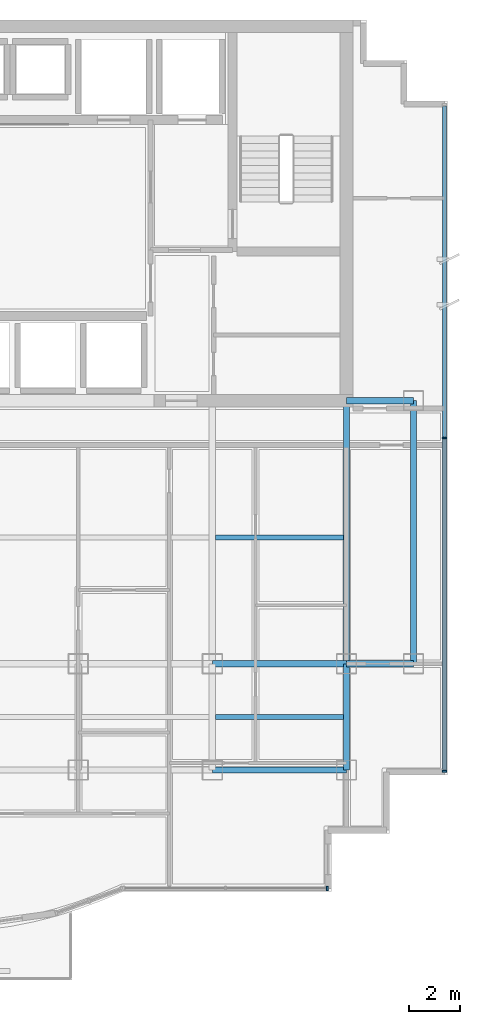
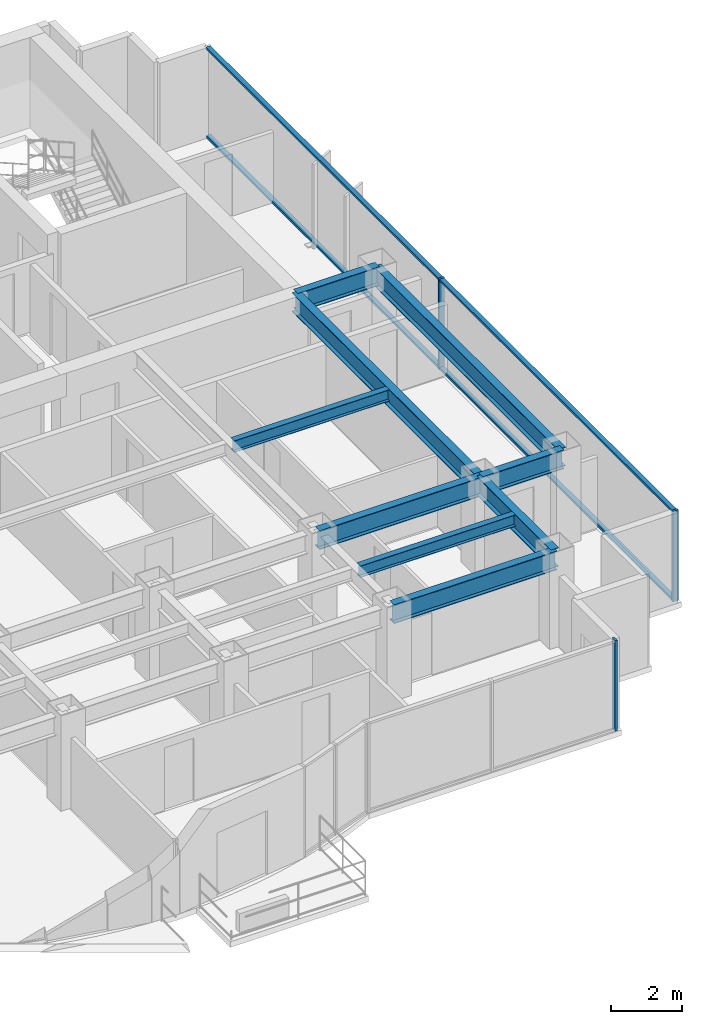
# One storey, part 4 of 12: 9 beams, 7 members, 2 elements without a shape of their own.
"""IFC4 building model written with IfcOpenShell, lengths in metres."""

from ifc_helpers import new_model, si_unit, direction, frame, origin, origin_2d, place, context, subcontext, project, spatial, rectangle, i_section, extrude, source, transform, mapped, material, layer, layer_set, material_profile, profile_set, type_object, element, aggregate, save


model = new_model("IFC4")

# Units and contexts
model_context = context("Model", 3, precision=1e-05, world=origin(), true_north=direction((0.0, 1.0)))
body_context = subcontext(model_context, "Body", "Model", "MODEL_VIEW")
ifc_project = project(units=[si_unit("LENGTHUNIT", "METRE"), si_unit("AREAUNIT", "SQUARE_METRE"), si_unit("VOLUMEUNIT", "CUBIC_METRE"), si_unit("PLANEANGLEUNIT", "RADIAN"), si_unit("MASSUNIT", "GRAM", prefix="KILO")], contexts=[model_context])

# Site, building, storey
site_placement = place(None, origin())
site = spatial("IfcSite", under=ifc_project, at=site_placement, CompositionType="ELEMENT")
building_placement = place(site_placement, origin())
building = spatial("IfcBuilding", under=site, at=building_placement, Name="Qianlan Lanfeng Residences", CompositionType="ELEMENT")
storey_placement = place(building_placement, frame((0.0, 0.0, 196.699951171875)))
storey = spatial("IfcBuildingStorey", under=building, at=storey_placement, Name="L53", CompositionType="ELEMENT", Elevation=196.699951171875)

# Beams
ifc_material_1 = material(Name="Steel SN490B", Category="steel")
ifc_material_profile_1 = material_profile(ifc_material_1, i_section(OverallWidth=0.25, OverallDepth=0.64990234375, WebThickness=0.012939453125, FlangeThickness=0.02197265625, at=origin_2d()), Name="H 650x250x13x22")
ifc_profile_set_1 = profile_set([ifc_material_profile_1], Name="Steel SN490B")
beam_type_1 = type_object("IfcBeamType", Name="G-650", PredefinedType="BEAM", material=ifc_profile_set_1)
for number, where, z_axis, x_axis, name in (
    (1, (37.10009765625, 10.60009765625, 2.78515625), (1.0, 0.0, 0.0), (0.0, 1.0, 0.0), "Structural beam G-650"),
    (2, (37.10009765625, 14.800048828125, 2.78515625), (1.0, 0.0, 0.0), (0.0, 1.0, 0.0), "Structural beam G-650"),
):
    element("IfcBeam", number, at=place(storey_placement, frame(where, z_axis=z_axis, x_axis=x_axis)), inside=storey, type_object=beam_type_1, Name=name, PredefinedType="BEAM", context=body_context, shape_type="SweptSolid", body=[
        extrude(i_section(OverallWidth=0.25, OverallDepth=0.64990234375, WebThickness=0.012939453125, FlangeThickness=0.02197265625, at=origin_2d()), origin(), (0.0, 0.0, 1.0), 5.2998046875),
    ])
for number, where, z_axis, x_axis, name in (
    (3, (42.39990234375, 14.800048828125, 2.78515625), (1.0, 0.0, 0.0), (0.0, 1.0, 0.0), "Structural beam G-650"),
    (4, (42.39990234375, 25.199951171875, 2.78515625), (1.0, 0.0, 0.0), (0.0, 1.0, 0.0), "Structural beam G-650"),
):
    element("IfcBeam", number, at=place(storey_placement, frame(where, z_axis=z_axis, x_axis=x_axis)), inside=storey, type_object=beam_type_1, Name=name, PredefinedType="BEAM", context=body_context, shape_type="SweptSolid", body=[
        extrude(i_section(OverallWidth=0.25, OverallDepth=0.64990234375, WebThickness=0.012939453125, FlangeThickness=0.02197265625, at=origin_2d()), origin(), (0.0, 0.0, 1.0), 2.650146484375),
    ])
beam_1_placement = place(storey_placement, frame((42.39990234375, 10.60009765625, 2.78515625), z_axis=(0.0, 1.0, 0.0), x_axis=(-1.0, 0.0, 0.0)))
element("IfcBeam", 5, at=beam_1_placement, inside=storey, type_object=beam_type_1, Name="Structural beam G-650", PredefinedType="BEAM", context=body_context, shape_type="SweptSolid", body=[
    extrude(i_section(OverallWidth=0.25, OverallDepth=0.64990234375, WebThickness=0.012939453125, FlangeThickness=0.02197265625, at=origin_2d()), origin(), (0.0, 0.0, 1.0), 4.199951171875),
])
beam_2_placement = place(storey_placement, frame((42.39990234375, 14.800048828125, 2.78515625), z_axis=(0.0, 1.0, 0.0), x_axis=(-1.0, 0.0, 0.0)))
element("IfcBeam", 6, at=beam_2_placement, inside=storey, type_object=beam_type_1, Name="Structural beam G-650", PredefinedType="BEAM", context=body_context, shape_type="SweptSolid", body=[
    extrude(i_section(OverallWidth=0.25, OverallDepth=0.64990234375, WebThickness=0.012939453125, FlangeThickness=0.02197265625, at=origin_2d()), origin(), (0.0, 0.0, 1.0), 10.39990234375),
])
ifc_material_profile_2 = material_profile(ifc_material_1, i_section(OverallWidth=0.199951171875, OverallDepth=0.39990234375, WebThickness=0.008056640625, FlangeThickness=0.012939453125, at=origin_2d()), Name="H 400x200x8x13")
ifc_profile_set_2 = profile_set([ifc_material_profile_2], Name="Steel SN490B")
beam_type_2 = type_object("IfcBeamType", Name="J-400", PredefinedType="JOIST", material=ifc_profile_set_2)
for number, where, z_axis, x_axis, name in (
    (7, (37.22509765625, 12.699951171875, 2.91015625), (1.0, 0.0, 0.0), (0.0, 1.0, 0.0), "Structural beam J-400"),
    (8, (37.22509765625, 19.800048828125, 2.91015625), (1.0, 0.0, 0.0), (0.0, 1.0, 0.0), "Structural beam J-400"),
):
    element("IfcBeam", number, at=place(storey_placement, frame(where, z_axis=z_axis, x_axis=x_axis)), inside=storey, type_object=beam_type_2, Name=name, PredefinedType="JOIST", context=body_context, shape_type="SweptSolid", body=[
        extrude(i_section(OverallWidth=0.199951171875, OverallDepth=0.39990234375, WebThickness=0.008056640625, FlangeThickness=0.012939453125, at=origin_2d()), origin(), (0.0, 0.0, 1.0), 5.0498046875),
    ])
ifc_material_profile_3 = material_profile(ifc_material_1, i_section(OverallWidth=0.25, OverallDepth=0.64990234375, WebThickness=0.012939453125, FlangeThickness=0.02197265625, at=origin_2d()), Name="H 650x250x13x22")
ifc_profile_set_3 = profile_set([ifc_material_profile_3], Name="Steel SN490B")
beam_type_3 = type_object("IfcBeamType", Name="SG-650", PredefinedType="SPANDREL", material=ifc_profile_set_3)
beam_3_placement = place(storey_placement, frame((45.050048828125, 14.800048828125, 2.76513671875), z_axis=(0.0, 1.0, 0.0), x_axis=(-1.0, 0.0, 0.0)))
element("IfcBeam", 9, at=beam_3_placement, inside=storey, type_object=beam_type_3, Name="Structural beam SG-650", PredefinedType="SPANDREL", context=body_context, shape_type="SweptSolid", body=[
    extrude(i_section(OverallWidth=0.25, OverallDepth=0.64990234375, WebThickness=0.012939453125, FlangeThickness=0.02197265625, at=origin_2d()), origin(), (0.0, 0.0, 1.0), 10.39990234375),
])

# Curtain wall, member
ifc_material_2 = material(Name="Anodised Bronze Aluminium 6063-T6", Category="aluminium")
ifc_layer = layer(ifc_material_2, 0.219970703125)
ifc_layer_set = layer_set([ifc_layer], Name="Anodised Bronze Aluminium 6063-T6")
curtain_wall_type = type_object("IfcCurtainWallType", Name="CW-05", PredefinedType="NOTDEFINED", material=ifc_layer_set)
curtain_wall_1_placement = place(storey_placement, origin())
curtain_wall_1 = element("IfcCurtainWall", 10, at=curtain_wall_1_placement, inside=storey, type_object=curtain_wall_type, Name="L53 Unitised Curtain Wall CWR-L53-03 (CW-05)", PredefinedType="NOTDEFINED")
ifc_material_profile_4 = material_profile(ifc_material_2, rectangle(XDim=0.074951171875, YDim=0.179931640625, at=origin_2d()), Name="ALU MULLION 75x180")
ifc_profile_set_4 = profile_set([ifc_material_profile_4], Name="Anodised Bronze Aluminium 6063-T6")
member_type_1 = type_object("IfcMemberType", Name="CWM-180", PredefinedType="MULLION", material=ifc_profile_set_4)
shared_shape_1 = source(origin(), body_context, "Body", "SweptSolid", [
    extrude(rectangle(XDim=0.074951171875, YDim=0.179931640625, at=origin_2d()), origin(), (0.0, 0.0, 1.0), 3.110107421875),
])
member_1_placement = place(storey_placement, frame((41.642578125, 5.919921875, 0.0), z_axis=(0.0, 0.0, 1.0), x_axis=(1.0, 0.0, 0.0)))
member_1 = element("IfcMember", 11, at=member_1_placement, type_object=member_type_1, Name="CWR-L53-03 Mullion 3", PredefinedType="MULLION", context=body_context, shape_type="MappedRepresentation", body=[
    mapped(shared_shape_1, transform((0.0, 0.0, 0.0), scale=1.0)),
])
aggregate(curtain_wall_1, [member_1])

# Curtain wall, members
curtain_wall_2_placement = place(storey_placement, origin())
curtain_wall_2 = element("IfcCurtainWall", 12, at=curtain_wall_2_placement, inside=storey, type_object=curtain_wall_type, Name="L53 Unitised Curtain Wall CWR-L53-04 (CW-05)", PredefinedType="NOTDEFINED")
member_2_placement = place(storey_placement, frame((46.280029296875, 10.5576171875, 0.0), z_axis=(0.0, 0.0, 1.0), x_axis=(0.0, 1.0, 0.0)))
member_2 = element("IfcMember", 13, at=member_2_placement, type_object=member_type_1, Name="CWR-L53-04 Mullion 1", PredefinedType="MULLION", context=body_context, shape_type="MappedRepresentation", body=[
    mapped(shared_shape_1, transform((0.0, 0.0, 0.0), scale=1.0)),
])
member_3_placement = place(storey_placement, frame((46.280029296875, 23.72509765625, 0.0), z_axis=(0.0, 0.0, 1.0), x_axis=(0.0, 1.0, 0.0)))
member_3 = element("IfcMember", 14, at=member_3_placement, type_object=member_type_1, Name="CWR-L53-04 Mullion 2", PredefinedType="MULLION", context=body_context, shape_type="MappedRepresentation", body=[
    mapped(shared_shape_1, transform((0.0, 0.0, 0.0), scale=1.0)),
])
ifc_material_profile_5 = material_profile(ifc_material_2, rectangle(XDim=0.074951171875, YDim=0.14990234375, at=origin_2d()), Name="ALU TRANSOM 75x150")
ifc_profile_set_5 = profile_set([ifc_material_profile_5], Name="Anodised Bronze Aluminium 6063-T6")
member_type_2 = type_object("IfcMemberType", Name="CWT-150", PredefinedType="USERDEFINED", material=ifc_profile_set_5)
shared_shape_2 = source(origin(), body_context, "Body", "SweptSolid", [
    extrude(rectangle(XDim=0.074951171875, YDim=0.14990234375, at=origin_2d()), origin(), (0.0, 0.0, 1.0), 13.092529296875),
])
member_4_placement = place(storey_placement, frame((46.280029296875, 10.594970703125, 0.03759765625), z_axis=(0.0, 1.0, 0.0), x_axis=(0.0, 0.0, 1.0)))
member_4 = element("IfcMember", 15, at=member_4_placement, type_object=member_type_2, Name="CWR-L53-04 Transom 1-BOT", ObjectType="TRANSOM", PredefinedType="USERDEFINED", context=body_context, shape_type="MappedRepresentation", body=[
    mapped(shared_shape_2, transform((0.0, 0.0, 0.0), scale=1.0)),
])
member_5_placement = place(storey_placement, frame((46.280029296875, 10.594970703125, 3.072509765625), z_axis=(0.0, 1.0, 0.0), x_axis=(0.0, 0.0, 1.0)))
member_5 = element("IfcMember", 16, at=member_5_placement, type_object=member_type_2, Name="CWR-L53-04 Transom 1-TOP", ObjectType="TRANSOM", PredefinedType="USERDEFINED", context=body_context, shape_type="MappedRepresentation", body=[
    mapped(shared_shape_2, transform((0.0, 0.0, 0.0), scale=1.0)),
])
member_6_placement = place(storey_placement, frame((46.280029296875, 23.762451171875, 0.03759765625), z_axis=(0.0, 1.0, 0.0), x_axis=(0.0, 0.0, 1.0)))
member_6 = element("IfcMember", 17, at=member_6_placement, type_object=member_type_2, Name="CWR-L53-04 Transom 2-BOT", ObjectType="TRANSOM", PredefinedType="USERDEFINED", context=body_context, shape_type="MappedRepresentation", body=[
    mapped(shared_shape_2, transform((0.0, 0.0, 0.0), scale=1.0)),
])
member_7_placement = place(storey_placement, frame((46.280029296875, 23.762451171875, 3.072509765625), z_axis=(0.0, 1.0, 0.0), x_axis=(0.0, 0.0, 1.0)))
member_7 = element("IfcMember", 18, at=member_7_placement, type_object=member_type_2, Name="CWR-L53-04 Transom 2-TOP", ObjectType="TRANSOM", PredefinedType="USERDEFINED", context=body_context, shape_type="MappedRepresentation", body=[
    mapped(shared_shape_2, transform((0.0, 0.0, 0.0), scale=1.0)),
])
aggregate(curtain_wall_2, [member_2, member_3, member_4, member_5, member_6, member_7])

save(model, "model.ifc")
